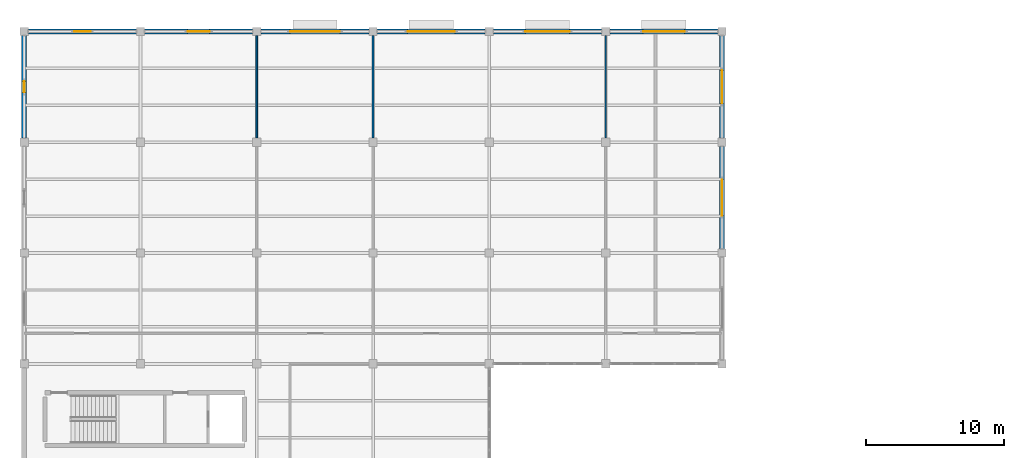
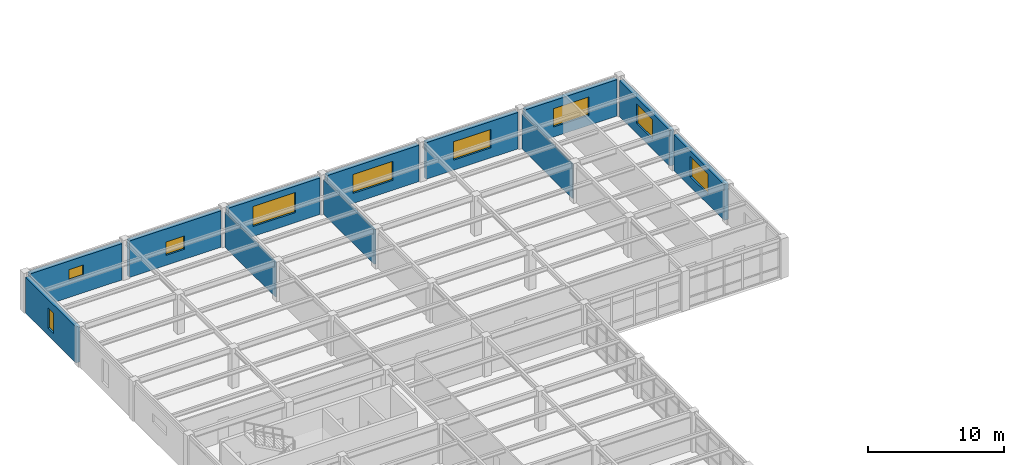
# One storey, part 51 of 96: 12 walls, 9 windows, 9 openings.
"""IFC4 building model written with IfcOpenShell, lengths in metres."""

from ifc_helpers import new_model, si_unit, direction, frame, frame_2d, origin, place, context, subcontext, project, spatial, rectangle, extrude, material, layer, layer_set, type_object, element, fill, save


model = new_model("IFC4")

# Units and contexts
model_context = context("Model", 3, precision=1e-05, world=origin(), true_north=direction((0.0, 1.0)))
body_context = subcontext(model_context, "Body", "Model", "MODEL_VIEW")
ifc_project = project(units=[si_unit("LENGTHUNIT", "METRE"), si_unit("AREAUNIT", "SQUARE_METRE"), si_unit("VOLUMEUNIT", "CUBIC_METRE"), si_unit("PLANEANGLEUNIT", "RADIAN"), si_unit("MASSUNIT", "GRAM", prefix="KILO")], contexts=[model_context])

# Site, building, storey
site_placement = place(None, origin())
site = spatial("IfcSite", under=ifc_project, at=site_placement, CompositionType="ELEMENT")
building_placement = place(site_placement, origin())
building = spatial("IfcBuilding", under=site, at=building_placement, Name="Kranzveld Transit Interchange", CompositionType="ELEMENT")
storey_placement = place(building_placement, frame((0.0, 0.0, 9.52001953125)))
storey = spatial("IfcBuildingStorey", under=building, at=storey_placement, Name="L02", CompositionType="ELEMENT", Elevation=9.52001953125)

# Wall, opening, window
ifc_material_1 = material(Name="Pretoria red-purple clinker clay face brick, 35 MPa", Category="masonry")
ifc_layer_1 = layer(ifc_material_1, 0.360107421875)
ifc_layer_set_1 = layer_set([ifc_layer_1], Name="Pretoria red-purple clinker clay face brick, 35 MPa")
wall_type_1 = type_object("IfcWallType", Name="Exterior Cavity Wall Red Clinker 360", PredefinedType="SOLIDWALL", material=ifc_layer_set_1)
wall_1_placement = place(storey_placement, frame((33.89990234375, 112.0, 0.0), z_axis=(0.0, 0.0, 1.0), x_axis=(1.0, 0.0, 0.0)))
wall_1 = element("IfcWall", 1, at=wall_1_placement, inside=storey, type_object=wall_type_1, Name="L02 Clinker Facade Wall 05/Q-06/Q", PredefinedType="SOLIDWALL", context=body_context, shape_type="SweptSolid", body=[
    extrude(rectangle(XDim=7.800048828125, YDim=0.360107421875, at=frame_2d((3.89990234375, 0.0))), origin(), (0.0, 0.0, 1.0), 3.27001953125),
])
opening_1_placement = place(wall_1_placement, frame((2.300048828125, 0.0, 0.89990234375), z_axis=(0.0, 0.0, 1.0), x_axis=(1.0, 0.0, 0.0)))
opening_1 = element("IfcOpeningElement", 2, at=opening_1_placement, cuts=wall_1, Name="Opening W-03", PredefinedType="OPENING", context=body_context, shape_type="SweptSolid", body=[
    extrude(rectangle(XDim=3.199951171875, YDim=1.64990234375, at=frame_2d((1.60009765625, 0.824951171875))), frame((0.0, 0.18994140625, 0.0), z_axis=(0.0, -1.0, 0.0), x_axis=(1.0, 0.0, 0.0)), (0.0, 0.0, 1.0), 0.380126953125),
])
ifc_material_2 = material(Name="Solar-control double glazing", Category="glass")
window_type_1 = type_object("IfcWindowType", Name="Window Ribbon Triple 3200x1650", PartitioningType="TRIPLE_PANEL_VERTICAL", PredefinedType="WINDOW", material=ifc_material_2)
window_1_placement = place(opening_1_placement, origin())
window_1 = element("IfcWindow", 3, at=window_1_placement, inside=storey, type_object=window_type_1, Name="L02 Facade Window 05/Q", OverallHeight=1.64990234375, OverallWidth=3.199951171875, PartitioningType="TRIPLE_PANEL_VERTICAL", PredefinedType="WINDOW", context=body_context, shape_type="SweptSolid", body=[
    extrude(rectangle(XDim=3.199951171875, YDim=1.64990234375, at=frame_2d((1.60009765625, 0.824951171875))), frame((0.0, 0.030029296875, 0.0), z_axis=(0.0, -1.0, 0.0), x_axis=(1.0, 0.0, 0.0)), (0.0, 0.0, 1.0), 0.06005859375),
])
fill(opening_1, window_1)

wall_2_placement = place(storey_placement, frame((42.300048828125, 112.0, 0.0), z_axis=(0.0, 0.0, 1.0), x_axis=(1.0, 0.0, 0.0)))
wall_2 = element("IfcWall", 4, at=wall_2_placement, inside=storey, type_object=wall_type_1, Name="L02 Clinker Facade Wall 06/Q-07/Q", PredefinedType="SOLIDWALL", context=body_context, shape_type="SweptSolid", body=[
    extrude(rectangle(XDim=7.800048828125, YDim=0.360107421875, at=frame_2d((3.89990234375, 0.0))), origin(), (0.0, 0.0, 1.0), 3.27001953125),
])
opening_2_placement = place(wall_2_placement, frame((2.39990234375, 0.0, 0.89990234375), z_axis=(0.0, 0.0, 1.0), x_axis=(1.0, 0.0, 0.0)))
opening_2 = element("IfcOpeningElement", 5, at=opening_2_placement, cuts=wall_2, Name="Opening W-04", PredefinedType="OPENING", context=body_context, shape_type="SweptSolid", body=[
    extrude(rectangle(XDim=3.0, YDim=1.64990234375, at=frame_2d((1.5, 0.824951171875))), frame((0.0, 0.18994140625, 0.0), z_axis=(0.0, -1.0, 0.0), x_axis=(1.0, 0.0, 0.0)), (0.0, 0.0, 1.0), 0.380126953125),
])
ifc_material_3 = material(Name="Solar-control double glazing", Category="glass")
window_type_2 = type_object("IfcWindowType", Name="Window Ribbon Double 3000x1650", PartitioningType="DOUBLE_PANEL_VERTICAL", PredefinedType="WINDOW", material=ifc_material_3)
window_2_placement = place(opening_2_placement, origin())
window_2 = element("IfcWindow", 6, at=window_2_placement, inside=storey, type_object=window_type_2, Name="L02 Facade Window 06/Q", OverallHeight=1.64990234375, OverallWidth=3.0, PartitioningType="DOUBLE_PANEL_VERTICAL", PredefinedType="WINDOW", context=body_context, shape_type="SweptSolid", body=[
    extrude(rectangle(XDim=3.0, YDim=1.64990234375, at=frame_2d((1.5, 0.824951171875))), frame((0.0, 0.030029296875, 0.0), z_axis=(0.0, -1.0, 0.0), x_axis=(1.0, 0.0, 0.0)), (0.0, 0.0, 1.0), 0.06005859375),
])
fill(opening_2, window_2)

wall_3_placement = place(storey_placement, frame((50.39990234375, 96.300048828125, 0.0), z_axis=(0.0, 0.0, 1.0), x_axis=(0.0, 1.0, 0.0)))
wall_3 = element("IfcWall", 7, at=wall_3_placement, inside=storey, type_object=wall_type_1, Name="L02 Clinker Facade Wall 07/N-07/P", PredefinedType="SOLIDWALL", context=body_context, shape_type="SweptSolid", body=[
    extrude(rectangle(XDim=7.39990234375, YDim=0.360107421875, at=frame_2d((3.699951171875, 0.0))), origin(), (0.0, 0.0, 1.0), 3.218505859375),
])
opening_3_placement = place(wall_3_placement, frame((2.39990234375, 0.0, 0.89990234375), z_axis=(0.0, 0.0, 1.0), x_axis=(1.0, 0.0, 0.0)))
opening_3 = element("IfcOpeningElement", 8, at=opening_3_placement, cuts=wall_3, Name="Opening W-06", PredefinedType="OPENING", context=body_context, shape_type="SweptSolid", body=[
    extrude(rectangle(XDim=2.60009765625, YDim=1.800048828125, at=frame_2d((1.300048828125, 0.89990234375))), frame((0.0, 0.18994140625, 0.0), z_axis=(0.0, -1.0, 0.0), x_axis=(1.0, 0.0, 0.0)), (0.0, 0.0, 1.0), 0.380126953125),
])
ifc_material_4 = material(Name="Solar-control double glazing", Category="glass")
window_type_3 = type_object("IfcWindowType", Name="Window Civic Double 2600x1800", PartitioningType="DOUBLE_PANEL_VERTICAL", PredefinedType="WINDOW", material=ifc_material_4)
window_3_placement = place(opening_3_placement, origin())
window_3 = element("IfcWindow", 9, at=window_3_placement, inside=storey, type_object=window_type_3, Name="L02 Facade Window 07/N", OverallHeight=1.800048828125, OverallWidth=2.60009765625, PartitioningType="DOUBLE_PANEL_VERTICAL", PredefinedType="WINDOW", context=body_context, shape_type="SweptSolid", body=[
    extrude(rectangle(XDim=2.60009765625, YDim=1.800048828125, at=frame_2d((1.300048828125, 0.89990234375))), frame((0.0, 0.030029296875, 0.0), z_axis=(0.0, -1.0, 0.0), x_axis=(1.0, 0.0, 0.0)), (0.0, 0.0, 1.0), 0.06005859375),
])
fill(opening_3, window_3)

wall_4_placement = place(storey_placement, frame((50.39990234375, 104.300048828125, 0.0), z_axis=(0.0, 0.0, 1.0), x_axis=(0.0, 1.0, 0.0)))
wall_4 = element("IfcWall", 10, at=wall_4_placement, inside=storey, type_object=wall_type_1, Name="L02 Clinker Facade Wall 07/P-07/Q", PredefinedType="SOLIDWALL", context=body_context, shape_type="SweptSolid", body=[
    extrude(rectangle(XDim=7.39990234375, YDim=0.360107421875, at=frame_2d((3.699951171875, 0.0))), origin(), (0.0, 0.0, 1.0), 3.218505859375),
])
opening_4_placement = place(wall_4_placement, frame((2.5, 0.0, 0.89990234375), z_axis=(0.0, 0.0, 1.0), x_axis=(1.0, 0.0, 0.0)))
opening_4 = element("IfcOpeningElement", 11, at=opening_4_placement, cuts=wall_4, Name="Opening W-07", PredefinedType="OPENING", context=body_context, shape_type="SweptSolid", body=[
    extrude(rectangle(XDim=2.39990234375, YDim=1.75, at=frame_2d((1.199951171875, 0.875))), frame((0.0, 0.18994140625, 0.0), z_axis=(0.0, -1.0, 0.0), x_axis=(1.0, 0.0, 0.0)), (0.0, 0.0, 1.0), 0.380126953125),
])
ifc_material_5 = material(Name="Solar-control double glazing", Category="glass")
window_type_4 = type_object("IfcWindowType", Name="Window Civic Double 2400x1750", PartitioningType="DOUBLE_PANEL_VERTICAL", PredefinedType="WINDOW", material=ifc_material_5)
window_4_placement = place(opening_4_placement, origin())
window_4 = element("IfcWindow", 12, at=window_4_placement, inside=storey, type_object=window_type_4, Name="L02 Facade Window 07/P", OverallHeight=1.75, OverallWidth=2.39990234375, PartitioningType="DOUBLE_PANEL_VERTICAL", PredefinedType="WINDOW", context=body_context, shape_type="SweptSolid", body=[
    extrude(rectangle(XDim=2.39990234375, YDim=1.75, at=frame_2d((1.199951171875, 0.875))), frame((0.0, 0.030029296875, 0.0), z_axis=(0.0, -1.0, 0.0), x_axis=(1.0, 0.0, 0.0)), (0.0, 0.0, 1.0), 0.06005859375),
])
fill(opening_4, window_4)

wall_5_placement = place(storey_placement, frame((0.0, 104.300048828125, 0.0), z_axis=(0.0, 0.0, 1.0), x_axis=(0.0, 1.0, 0.0)))
wall_5 = element("IfcWall", 13, at=wall_5_placement, inside=storey, type_object=wall_type_1, Name="L02 Clinker Facade Wall 01/P-01/Q", PredefinedType="SOLIDWALL", context=body_context, shape_type="SweptSolid", body=[
    extrude(rectangle(XDim=7.39990234375, YDim=0.360107421875, at=frame_2d((3.699951171875, 0.0))), origin(), (0.0, 0.0, 1.0), 3.218505859375),
])
opening_5_placement = place(wall_5_placement, frame((3.300048828125, 0.0, 0.64990234375), z_axis=(0.0, 0.0, 1.0), x_axis=(1.0, 0.0, 0.0)))
opening_5 = element("IfcOpeningElement", 14, at=opening_5_placement, cuts=wall_5, Name="Opening W-18", PredefinedType="OPENING", context=body_context, shape_type="SweptSolid", body=[
    extrude(rectangle(XDim=0.800048828125, YDim=1.85009765625, at=frame_2d((0.39990234375, 0.925048828125))), frame((0.0, 0.18994140625, 0.0), z_axis=(0.0, -1.0, 0.0), x_axis=(1.0, 0.0, 0.0)), (0.0, 0.0, 1.0), 0.380126953125),
])
ifc_material_6 = material(Name="Solar-control double glazing", Category="glass")
window_type_5 = type_object("IfcWindowType", Name="Window Ladder Slot 800x1850", PartitioningType="SINGLE_PANEL", PredefinedType="WINDOW", material=ifc_material_6)
window_5_placement = place(opening_5_placement, origin())
window_5 = element("IfcWindow", 15, at=window_5_placement, inside=storey, type_object=window_type_5, Name="L02 Facade Window 01/P", OverallHeight=1.85009765625, OverallWidth=0.800048828125, PartitioningType="SINGLE_PANEL", PredefinedType="WINDOW", context=body_context, shape_type="SweptSolid", body=[
    extrude(rectangle(XDim=0.800048828125, YDim=1.85009765625, at=frame_2d((0.39990234375, 0.925048828125))), frame((0.0, 0.030029296875, 0.0), z_axis=(0.0, -1.0, 0.0), x_axis=(1.0, 0.0, 0.0)), (0.0, 0.0, 1.0), 0.06005859375),
])
fill(opening_5, window_5)

wall_6_placement = place(storey_placement, frame((0.300048828125, 112.0, 0.0), z_axis=(0.0, 0.0, 1.0), x_axis=(1.0, 0.0, 0.0)))
wall_6 = element("IfcWall", 16, at=wall_6_placement, inside=storey, type_object=wall_type_1, Name="L02 Clinker Facade Wall 01/Q-02/Q", PredefinedType="SOLIDWALL", context=body_context, shape_type="SweptSolid", body=[
    extrude(rectangle(XDim=7.800048828125, YDim=0.360107421875, at=frame_2d((3.89990234375, 0.0))), origin(), (0.0, 0.0, 1.0), 3.27001953125),
])
opening_6_placement = place(wall_6_placement, frame((3.300048828125, 0.0, 1.550048828125), z_axis=(0.0, 0.0, 1.0), x_axis=(1.0, 0.0, 0.0)))
opening_6 = element("IfcOpeningElement", 17, at=opening_6_placement, cuts=wall_6, Name="Opening W-19", PredefinedType="OPENING", context=body_context, shape_type="SweptSolid", body=[
    extrude(rectangle(XDim=1.199951171875, YDim=0.949951171875, at=frame_2d((0.60009765625, 0.47509765625))), frame((0.0, 0.18994140625, 0.0), z_axis=(0.0, -1.0, 0.0), x_axis=(1.0, 0.0, 0.0)), (0.0, 0.0, 1.0), 0.380126953125),
])
ifc_material_7 = material(Name="Solar-control double glazing", Category="glass")
window_type_6 = type_object("IfcWindowType", Name="Window Sanitary Frosted 1200x950", PartitioningType="SINGLE_PANEL", PredefinedType="WINDOW", material=ifc_material_7)
window_6_placement = place(opening_6_placement, origin())
window_6 = element("IfcWindow", 18, at=window_6_placement, inside=storey, type_object=window_type_6, Name="L02 Facade Window 01/Q", OverallHeight=0.949951171875, OverallWidth=1.199951171875, PartitioningType="SINGLE_PANEL", PredefinedType="WINDOW", context=body_context, shape_type="SweptSolid", body=[
    extrude(rectangle(XDim=1.199951171875, YDim=0.949951171875, at=frame_2d((0.60009765625, 0.47509765625))), frame((0.0, 0.030029296875, 0.0), z_axis=(0.0, -1.0, 0.0), x_axis=(1.0, 0.0, 0.0)), (0.0, 0.0, 1.0), 0.06005859375),
])
fill(opening_6, window_6)

wall_7_placement = place(storey_placement, frame((8.699951171875, 112.0, 0.0), z_axis=(0.0, 0.0, 1.0), x_axis=(1.0, 0.0, 0.0)))
wall_7 = element("IfcWall", 19, at=wall_7_placement, inside=storey, type_object=wall_type_1, Name="L02 Clinker Facade Wall 02/Q-03/Q", PredefinedType="SOLIDWALL", context=body_context, shape_type="SweptSolid", body=[
    extrude(rectangle(XDim=7.800048828125, YDim=0.360107421875, at=frame_2d((3.89990234375, 0.0))), origin(), (0.0, 0.0, 1.0), 3.27001953125),
])
opening_7_placement = place(wall_7_placement, frame((3.10009765625, 0.0, 0.89990234375), z_axis=(0.0, 0.0, 1.0), x_axis=(1.0, 0.0, 0.0)))
opening_7 = element("IfcOpeningElement", 20, at=opening_7_placement, cuts=wall_7, Name="Opening W-20", PredefinedType="OPENING", context=body_context, shape_type="SweptSolid", body=[
    extrude(rectangle(XDim=1.60009765625, YDim=1.199951171875, at=frame_2d((0.800048828125, 0.60009765625))), frame((0.0, 0.18994140625, 0.0), z_axis=(0.0, -1.0, 0.0), x_axis=(1.0, 0.0, 0.0)), (0.0, 0.0, 1.0), 0.380126953125),
])
ifc_material_8 = material(Name="Solar-control double glazing", Category="glass")
window_type_7 = type_object("IfcWindowType", Name="Window Technical Glazed 1600x1200", PartitioningType="DOUBLE_PANEL_VERTICAL", PredefinedType="WINDOW", material=ifc_material_8)
window_7_placement = place(opening_7_placement, origin())
window_7 = element("IfcWindow", 21, at=window_7_placement, inside=storey, type_object=window_type_7, Name="L02 Facade Window 02/Q", OverallHeight=1.199951171875, OverallWidth=1.60009765625, PartitioningType="DOUBLE_PANEL_VERTICAL", PredefinedType="WINDOW", context=body_context, shape_type="SweptSolid", body=[
    extrude(rectangle(XDim=1.60009765625, YDim=1.199951171875, at=frame_2d((0.800048828125, 0.60009765625))), frame((0.0, 0.030029296875, 0.0), z_axis=(0.0, -1.0, 0.0), x_axis=(1.0, 0.0, 0.0)), (0.0, 0.0, 1.0), 0.06005859375),
])
fill(opening_7, window_7)

wall_8_placement = place(storey_placement, frame((17.10009765625, 112.0, 0.0), z_axis=(0.0, 0.0, 1.0), x_axis=(1.0, 0.0, 0.0)))
wall_8 = element("IfcWall", 22, at=wall_8_placement, inside=storey, type_object=wall_type_1, Name="L02 Clinker Facade Wall 03/Q-04/Q", PredefinedType="SOLIDWALL", context=body_context, shape_type="SweptSolid", body=[
    extrude(rectangle(XDim=7.7998046875, YDim=0.360107421875, at=frame_2d((3.89990234375, 0.0))), origin(), (0.0, 0.0, 1.0), 3.27001953125),
])
opening_8_placement = place(wall_8_placement, frame((2.10009765625, 0.0, 0.89990234375), z_axis=(0.0, 0.0, 1.0), x_axis=(1.0, 0.0, 0.0)))
opening_8 = element("IfcOpeningElement", 23, at=opening_8_placement, cuts=wall_8, Name="Opening W-01", PredefinedType="OPENING", context=body_context, shape_type="SweptSolid", body=[
    extrude(rectangle(XDim=3.60009765625, YDim=1.800048828125, at=frame_2d((1.800048828125, 0.89990234375))), frame((0.0, 0.18994140625, 0.0), z_axis=(0.0, -1.0, 0.0), x_axis=(1.0, 0.0, 0.0)), (0.0, 0.0, 1.0), 0.380126953125),
])
ifc_material_9 = material(Name="Solar-control double glazing", Category="glass")
window_type_8 = type_object("IfcWindowType", Name="Window Ribbon Triple 3600x1800", PartitioningType="TRIPLE_PANEL_VERTICAL", PredefinedType="WINDOW", material=ifc_material_9)
window_8_placement = place(opening_8_placement, origin())
window_8 = element("IfcWindow", 24, at=window_8_placement, inside=storey, type_object=window_type_8, Name="L02 Facade Window 03/Q", OverallHeight=1.800048828125, OverallWidth=3.60009765625, PartitioningType="TRIPLE_PANEL_VERTICAL", PredefinedType="WINDOW", context=body_context, shape_type="SweptSolid", body=[
    extrude(rectangle(XDim=3.60009765625, YDim=1.800048828125, at=frame_2d((1.800048828125, 0.89990234375))), frame((0.0, 0.030029296875, 0.0), z_axis=(0.0, -1.0, 0.0), x_axis=(1.0, 0.0, 0.0)), (0.0, 0.0, 1.0), 0.06005859375),
])
fill(opening_8, window_8)

wall_9_placement = place(storey_placement, frame((25.5, 112.0, 0.0), z_axis=(0.0, 0.0, 1.0), x_axis=(1.0, 0.0, 0.0)))
wall_9 = element("IfcWall", 25, at=wall_9_placement, inside=storey, type_object=wall_type_1, Name="L02 Clinker Facade Wall 04/Q-05/Q", PredefinedType="SOLIDWALL", context=body_context, shape_type="SweptSolid", body=[
    extrude(rectangle(XDim=7.800048828125, YDim=0.360107421875, at=frame_2d((3.89990234375, 0.0))), origin(), (0.0, 0.0, 1.0), 3.27001953125),
])
opening_9_placement = place(wall_9_placement, frame((2.199951171875, 0.0, 0.89990234375), z_axis=(0.0, 0.0, 1.0), x_axis=(1.0, 0.0, 0.0)))
opening_9 = element("IfcOpeningElement", 26, at=opening_9_placement, cuts=wall_9, Name="Opening W-02", PredefinedType="OPENING", context=body_context, shape_type="SweptSolid", body=[
    extrude(rectangle(XDim=3.39990234375, YDim=1.699951171875, at=frame_2d((1.699951171875, 0.85009765625))), frame((0.0, 0.18994140625, 0.0), z_axis=(0.0, -1.0, 0.0), x_axis=(1.0, 0.0, 0.0)), (0.0, 0.0, 1.0), 0.380126953125),
])
ifc_material_10 = material(Name="Solar-control double glazing", Category="glass")
window_type_9 = type_object("IfcWindowType", Name="Window Ribbon Triple 3400x1700", PartitioningType="TRIPLE_PANEL_VERTICAL", PredefinedType="WINDOW", material=ifc_material_10)
window_9_placement = place(opening_9_placement, origin())
window_9 = element("IfcWindow", 27, at=window_9_placement, inside=storey, type_object=window_type_9, Name="L02 Facade Window 04/Q", OverallHeight=1.699951171875, OverallWidth=3.39990234375, PartitioningType="TRIPLE_PANEL_VERTICAL", PredefinedType="WINDOW", context=body_context, shape_type="SweptSolid", body=[
    extrude(rectangle(XDim=3.39990234375, YDim=1.699951171875, at=frame_2d((1.699951171875, 0.85009765625))), frame((0.0, 0.030029296875, 0.0), z_axis=(0.0, -1.0, 0.0), x_axis=(1.0, 0.0, 0.0)), (0.0, 0.0, 1.0), 0.06005859375),
])
fill(opening_9, window_9)

# Walls
ifc_material_11 = material(Name="Clay masonry unit wall, 20 MPa", Category="masonry")
ifc_layer_2 = layer(ifc_material_11, 0.14990234375)
ifc_layer_set_2 = layer_set([ifc_layer_2], Name="Clay masonry unit wall, 20 MPa")
wall_type_2 = type_object("IfcWallType", Name="Fire Rated Partition Wall 150 EI60", PredefinedType="PARTITIONING", material=ifc_layer_set_2)
wall_10_placement = place(storey_placement, frame((25.199951171875, 104.2900390625, 0.0), z_axis=(0.0, 0.0, 1.0), x_axis=(0.0, 1.0, 0.0)))
element("IfcWall", 28, at=wall_10_placement, inside=storey, type_object=wall_type_2, Name="L02 Partition IW-L02-L02V5N-E-217-2", PredefinedType="PARTITIONING", context=body_context, shape_type="SweptSolid", body=[
    extrude(rectangle(XDim=7.419921875, YDim=0.14990234375, at=frame_2d((3.7099609375, 0.0))), origin(), (0.0, 0.0, 1.0), 3.106689453125),
])
ifc_material_12 = material(Name="Clay masonry unit wall, 20 MPa", Category="masonry")
ifc_layer_3 = layer(ifc_material_12, 0.125)
ifc_layer_set_3 = layer_set([ifc_layer_3], Name="Clay masonry unit wall, 20 MPa")
wall_type_3 = type_object("IfcWallType", Name="Internal Blockwork Partition 125", PredefinedType="PARTITIONING", material=ifc_layer_set_3)
wall_11_placement = place(storey_placement, frame((16.800048828125, 104.2900390625, 0.0), z_axis=(0.0, 0.0, 1.0), x_axis=(0.0, 1.0, 0.0)))
element("IfcWall", 29, at=wall_11_placement, inside=storey, type_object=wall_type_3, Name="L02 Partition IW-L02-L02V5N-E-216-2", PredefinedType="PARTITIONING", context=body_context, shape_type="SweptSolid", body=[
    extrude(rectangle(XDim=7.419921875, YDim=0.125, at=frame_2d((3.7099609375, 0.0))), origin(), (0.0, 0.0, 1.0), 3.106689453125),
])
ifc_material_13 = material(Name="Clay masonry unit wall, 20 MPa", Category="masonry")
ifc_layer_4 = layer(ifc_material_13, 0.10009765625)
ifc_layer_set_4 = layer_set([ifc_layer_4], Name="Clay masonry unit wall, 20 MPa")
wall_type_4 = type_object("IfcWallType", Name="Lightweight Drywall Partition 100", PredefinedType="PARTITIONING", material=ifc_layer_set_4)
wall_12_placement = place(storey_placement, frame((42.0, 104.2900390625, 0.0), z_axis=(0.0, 0.0, 1.0), x_axis=(0.0, 1.0, 0.0)))
element("IfcWall", 30, at=wall_12_placement, inside=storey, type_object=wall_type_4, Name="L02 Partition IW-L02-L02V5N-E-214-2", PredefinedType="PARTITIONING", context=body_context, shape_type="SweptSolid", body=[
    extrude(rectangle(XDim=7.419921875, YDim=0.10009765625, at=frame_2d((3.7099609375, 0.0))), origin(), (0.0, 0.0, 1.0), 3.106689453125),
])

save(model, "model.ifc")
